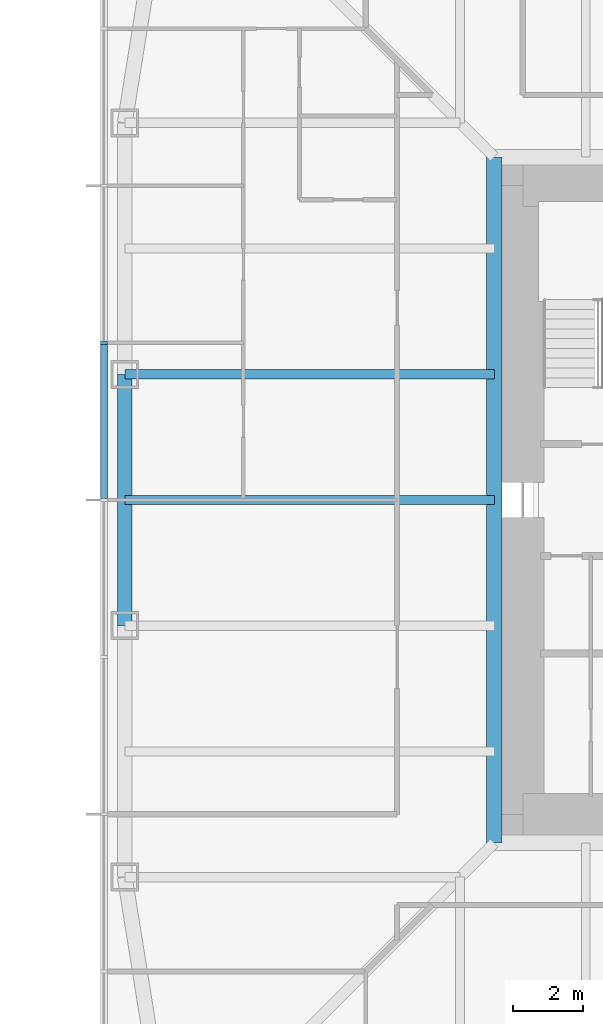
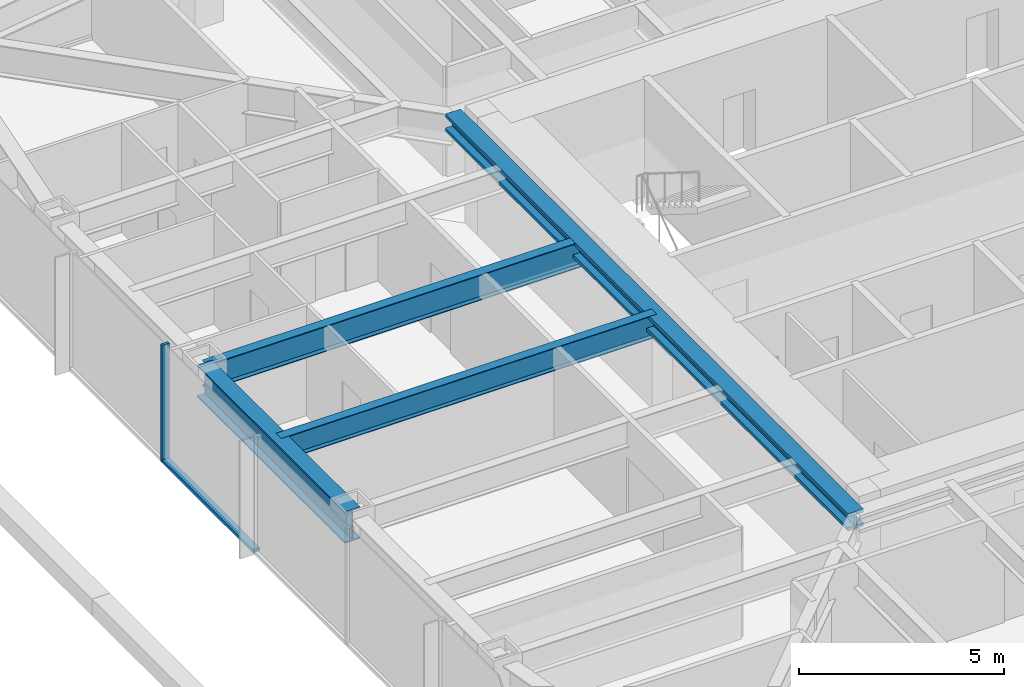
# One storey, part 3 of 26: 4 beams, 2 members, 1 element without a shape of its own.
"""IFC4 building model written with IfcOpenShell, lengths in metres."""

from ifc_helpers import new_model, si_unit, direction, frame, origin, origin_2d, place, context, subcontext, project, spatial, rectangle, i_section, extrude, material, material_profile, profile_set, type_object, element, aggregate, save


model = new_model("IFC4")

# Units and contexts
model_context = context("Model", 3, precision=1e-05, world=origin(), true_north=direction((0.0, 1.0)))
body_context = subcontext(model_context, "Body", "Model", "MODEL_VIEW")
ifc_project = project(units=[si_unit("LENGTHUNIT", "METRE"), si_unit("AREAUNIT", "SQUARE_METRE"), si_unit("VOLUMEUNIT", "CUBIC_METRE"), si_unit("PLANEANGLEUNIT", "RADIAN"), si_unit("MASSUNIT", "GRAM", prefix="KILO")], contexts=[model_context])

# Site, building, storey
site_placement = place(None, origin())
site = spatial("IfcSite", under=ifc_project, at=site_placement, CompositionType="ELEMENT")
building_placement = place(site_placement, origin())
building = spatial("IfcBuilding", under=site, at=building_placement, Name="Iwan Alto Co-Living Towers", CompositionType="ELEMENT")
storey_placement = place(building_placement, frame((0.0, 0.0, 126.0)))
storey = spatial("IfcBuildingStorey", under=building, at=storey_placement, Name="L34", CompositionType="ELEMENT", Elevation=126.0)

# Curtain wall, members
ifc_material_1 = material(Name="Bronze aluminium unitised frame", Category="aluminium")
curtain_wall_type = type_object("IfcCurtainWallType", Name="CURTAIN WALL CW-A", PredefinedType="NOTDEFINED", material=ifc_material_1)
curtain_wall_placement = place(storey_placement, origin())
curtain_wall = element("IfcCurtainWall", 1, at=curtain_wall_placement, inside=storey, type_object=curtain_wall_type, Name="T1 curtain wall W L34", PredefinedType="NOTDEFINED")
ifc_material_2 = material(Name="Aluminium 6063-T6 bronze anodised", Category="aluminium")
ifc_material_profile_1 = material_profile(ifc_material_2, rectangle(XDim=0.199951171875, YDim=0.080078125, at=origin_2d()), Name="AL 80X200")
ifc_profile_set_1 = profile_set([ifc_material_profile_1], Name="Aluminium 6063-T6 bronze anodised")
member_type_1 = type_object("IfcMemberType", Name="CW-A MULLION 80X200", PredefinedType="MULLION", material=ifc_profile_set_1)
member_1_placement = place(storey_placement, frame((-21.0, 4.5, 0.0), z_axis=(0.0, 0.0, 1.0), x_axis=(1.0, 0.0, 0.0)))
member_1 = element("IfcMember", 2, at=member_1_placement, type_object=member_type_1, Name="CW-A mullion 4", PredefinedType="MULLION", context=body_context, shape_type="SweptSolid", body=[
    extrude(rectangle(XDim=0.199951171875, YDim=0.080078125, at=origin_2d()), origin(), (0.0, 0.0, 1.0), 3.5),
])
ifc_material_3 = material(Name="Aluminium 6063-T6 bronze anodised", Category="aluminium")
ifc_material_profile_2 = material_profile(ifc_material_3, rectangle(XDim=0.199951171875, YDim=0.10009765625, at=origin_2d()), Name="AL 200X100")
ifc_profile_set_2 = profile_set([ifc_material_profile_2], Name="Aluminium 6063-T6 bronze anodised")
member_type_2 = type_object("IfcMemberType", Name="CW-A TRANSOM 200X100", PredefinedType="USERDEFINED", material=ifc_profile_set_2)
member_2_placement = place(storey_placement, frame((-21.0, 4.4599609375, 0.050048828125), z_axis=(0.0, -1.0, 0.0), x_axis=(1.0, 0.0, 0.0)))
member_2 = element("IfcMember", 3, at=member_2_placement, type_object=member_type_2, Name="CW-A transom 4.1", ObjectType="TRANSOM", PredefinedType="USERDEFINED", context=body_context, shape_type="SweptSolid", body=[
    extrude(rectangle(XDim=0.199951171875, YDim=0.10009765625, at=origin_2d()), origin(), (0.0, 0.0, 1.0), 4.419921875),
])
aggregate(curtain_wall, [member_1, member_2])

# Beams
ifc_material_4 = material(Name="Steel ASTM A992 Gr 50", Category="steel")
ifc_material_profile_3 = material_profile(ifc_material_4, i_section(OverallWidth=0.436767578125, OverallDepth=0.51318359375, WebThickness=0.060546875, FlangeThickness=0.096923828125, at=origin_2d()), Name="W14X550")
ifc_profile_set_3 = profile_set([ifc_material_profile_3], Name="Steel ASTM A992 Gr 50")
beam_type_1 = type_object("IfcBeamType", Name="T1 CORE LEDGER BEAM W14X550", PredefinedType="BEAM", material=ifc_profile_set_3)
beam_1_placement = place(storey_placement, frame((-9.818359375, 9.818359375, 3.013427734375), z_axis=(0.0, -1.0, 0.0), x_axis=(1.0, 0.0, 0.0)))
element("IfcBeam", 4, at=beam_1_placement, inside=storey, type_object=beam_type_1, Name="T1 core ledger beam W L35", PredefinedType="BEAM", context=body_context, shape_type="SweptSolid", body=[
    extrude(i_section(OverallWidth=0.436767578125, OverallDepth=0.51318359375, WebThickness=0.060546875, FlangeThickness=0.096923828125, at=origin_2d()), origin(), (0.0, 0.0, 1.0), 19.63671875),
])
ifc_material_5 = material(Name="Steel ASTM A992 Gr 50", Category="steel")
ifc_material_profile_4 = material_profile(ifc_material_5, i_section(OverallWidth=0.424072265625, OverallDepth=0.947509765625, WebThickness=0.02392578125, FlangeThickness=0.042724609375, at=origin_2d()), Name="W36X302")
ifc_profile_set_4 = profile_set([ifc_material_profile_4], Name="Steel ASTM A992 Gr 50")
beam_type_2 = type_object("IfcBeamType", Name="T1 EDGE BEAM W36X302", PredefinedType="BEAM", material=ifc_profile_set_4)
beam_2_placement = place(storey_placement, frame((-20.39990234375, 3.60009765625, 2.79638671875), z_axis=(0.0, -1.0, 0.0), x_axis=(1.0, 0.0, 0.0)))
element("IfcBeam", 5, at=beam_2_placement, inside=storey, type_object=beam_type_2, Name="T1 edge beam W2 L35", PredefinedType="BEAM", context=body_context, shape_type="SweptSolid", body=[
    extrude(i_section(OverallWidth=0.424072265625, OverallDepth=0.947509765625, WebThickness=0.02392578125, FlangeThickness=0.042724609375, at=origin_2d()), origin(), (0.0, 0.0, 1.0), 7.2001953125),
])
ifc_material_6 = material(Name="Steel ASTM A992 Gr 50", Category="steel")
ifc_material_profile_5 = material_profile(ifc_material_6, i_section(OverallWidth=0.2666015625, OverallDepth=0.761962890625, WebThickness=0.014404296875, FlangeThickness=0.021484375, at=origin_2d()), Name="W30X116")
ifc_profile_set_5 = profile_set([ifc_material_profile_5], Name="Steel ASTM A992 Gr 50")
beam_type_3 = type_object("IfcBeamType", Name="T1 RADIAL BEAM W30X116", PredefinedType="BEAM", material=ifc_profile_set_5)
beam_3_placement = place(storey_placement, frame((-20.39990234375, 3.60009765625, 2.888916015625), z_axis=(1.0, 0.0, 0.0), x_axis=(0.0, 1.0, 0.0)))
element("IfcBeam", 6, at=beam_3_placement, inside=storey, type_object=beam_type_3, Name="T1 radial beam W2 L35", PredefinedType="BEAM", context=body_context, shape_type="SweptSolid", body=[
    extrude(i_section(OverallWidth=0.2666015625, OverallDepth=0.761962890625, WebThickness=0.014404296875, FlangeThickness=0.021484375, at=origin_2d()), origin(), (0.0, 0.0, 1.0), 10.58154296875),
])
ifc_material_7 = material(Name="Steel ASTM A992 Gr 50", Category="steel")
ifc_material_profile_6 = material_profile(ifc_material_7, i_section(OverallWidth=0.25390625, OverallDepth=0.683349609375, WebThickness=0.012451171875, FlangeThickness=0.018798828125, at=origin_2d()), Name="W27X94")
ifc_profile_set_6 = profile_set([ifc_material_profile_6], Name="Steel ASTM A992 Gr 50")
beam_type_4 = type_object("IfcBeamType", Name="T1 SECONDARY BEAM W27X94", PredefinedType="JOIST", material=ifc_profile_set_6)
beam_4_placement = place(storey_placement, frame((-20.39990234375, 0.0, 2.928466796875), z_axis=(1.0, 0.0, 0.0), x_axis=(0.0, 1.0, 0.0)))
element("IfcBeam", 7, at=beam_4_placement, inside=storey, type_object=beam_type_4, Name="T1 secondary beam W2 L35", PredefinedType="JOIST", context=body_context, shape_type="SweptSolid", body=[
    extrude(i_section(OverallWidth=0.25390625, OverallDepth=0.683349609375, WebThickness=0.012451171875, FlangeThickness=0.018798828125, at=origin_2d()), origin(), (0.0, 0.0, 1.0), 10.58154296875),
])

save(model, "model.ifc")
